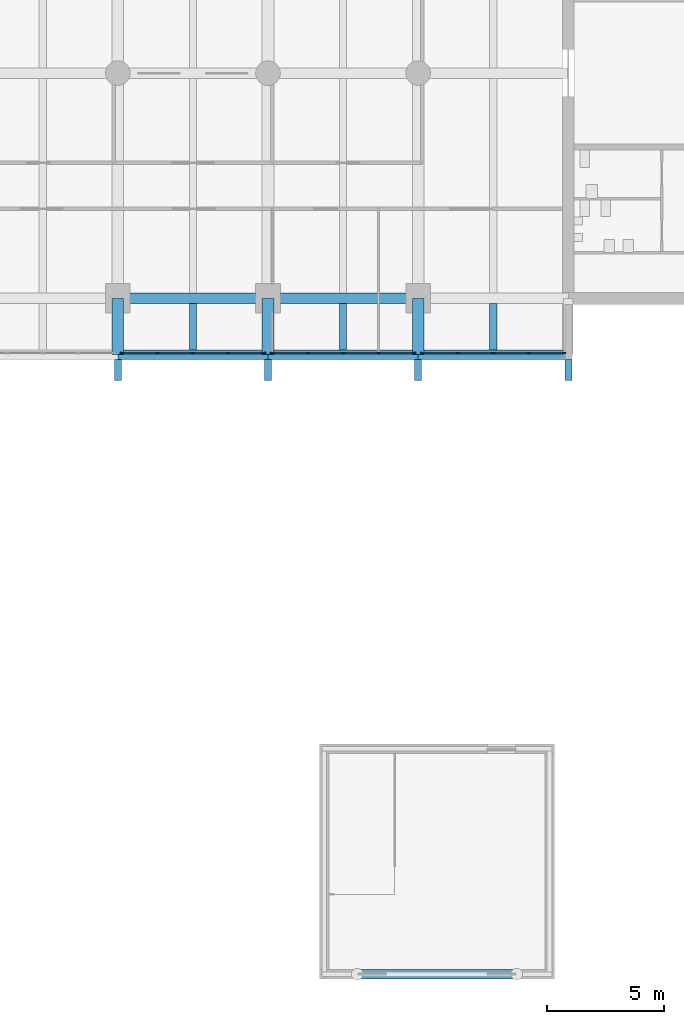
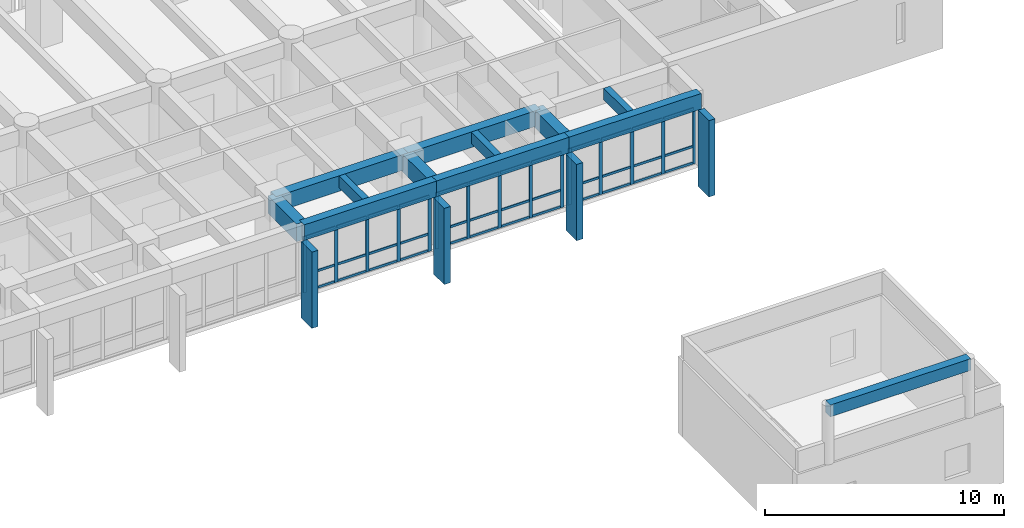
# One storey, part 3 of 19: 55 members, 12 beams, 3 elements without a shape of their own.
"""IFC4 building model written with IfcOpenShell, lengths in metres."""

from ifc_helpers import new_model, si_unit, direction, frame, origin, origin_2d, place, context, subcontext, project, spatial, rectangle, extrude, material, layer, layer_set, material_profile, profile_set, type_object, element, aggregate, save


model = new_model("IFC4")

# Units and contexts
model_context = context("Model", 3, precision=1e-05, world=origin(), true_north=direction((0.0, 1.0)))
body_context = subcontext(model_context, "Body", "Model", "MODEL_VIEW")
ifc_project = project(units=[si_unit("LENGTHUNIT", "METRE"), si_unit("AREAUNIT", "SQUARE_METRE"), si_unit("VOLUMEUNIT", "CUBIC_METRE"), si_unit("PLANEANGLEUNIT", "RADIAN"), si_unit("MASSUNIT", "GRAM", prefix="KILO")], contexts=[model_context])

# Site, building, storey
site_placement = place(None, origin())
site = spatial("IfcSite", under=ifc_project, at=site_placement, CompositionType="ELEMENT")
building_placement = place(site_placement, origin())
building = spatial("IfcBuilding", under=site, at=building_placement, Name="Fogon Plaza Fire Station and Headquarters Tower", CompositionType="ELEMENT")
storey_placement = place(building_placement, frame((0.0, 0.0, 24.89990234375)))
storey = spatial("IfcBuildingStorey", under=building, at=storey_placement, Name="L06", CompositionType="ELEMENT", Elevation=24.89990234375)

# Beams
ifc_material_1 = material(Name="Concrete C40", Category="concrete")
ifc_material_profile_1 = material_profile(ifc_material_1, rectangle(XDim=0.39990234375, YDim=0.60009765625, at=origin_2d()), Name="RC 400x600")
ifc_profile_set_1 = profile_set([ifc_material_profile_1], Name="Concrete C40")
beam_type_1 = type_object("IfcBeamType", Name="BEAM RC 400x600", PredefinedType="BEAM", material=ifc_profile_set_1)
beam_1_placement = place(storey_placement, frame((55.0, 4.800048828125, 6.60009765625), z_axis=(1.0, 0.0, 0.0), x_axis=(0.0, 1.0, 0.0)))
element("IfcBeam", 1, at=beam_1_placement, inside=storey, type_object=beam_type_1, Name="beam-L06-AN1", PredefinedType="BEAM", context=body_context, shape_type="SweptSolid", body=[
    extrude(rectangle(XDim=0.39990234375, YDim=0.60009765625, at=origin_2d()), origin(), (0.0, 0.0, 1.0), 6.800048828125),
])
ifc_material_2 = material(Name="Concrete C40", Category="concrete")
ifc_material_profile_2 = material_profile(ifc_material_2, rectangle(XDim=0.39990234375, YDim=0.800048828125, at=origin_2d()), Name="RC 400x800")
ifc_profile_set_2 = profile_set([ifc_material_profile_2], Name="Concrete C40")
beam_type_2 = type_object("IfcBeamType", Name="BEAM RC 400x800", PredefinedType="BEAM", material=ifc_profile_set_2)
beam_2_placement = place(storey_placement, frame((44.800048828125, 31.199951171875, 3.280029296875), z_axis=(1.0, 0.0, 0.0), x_axis=(0.0, 1.0, 0.0)))
element("IfcBeam", 2, at=beam_2_placement, inside=storey, type_object=beam_type_2, Name="beam-L06-042", PredefinedType="BEAM", context=body_context, shape_type="SweptSolid", body=[
    extrude(rectangle(XDim=0.39990234375, YDim=0.800048828125, at=origin_2d()), origin(), (0.0, 0.0, 1.0), 6.39990234375),
])
beam_3_placement = place(storey_placement, frame((51.199951171875, 31.199951171875, 3.280029296875), z_axis=(1.0, 0.0, 0.0), x_axis=(0.0, 1.0, 0.0)))
element("IfcBeam", 3, at=beam_3_placement, inside=storey, type_object=beam_type_2, Name="beam-L06-043", PredefinedType="BEAM", context=body_context, shape_type="SweptSolid", body=[
    extrude(rectangle(XDim=0.39990234375, YDim=0.800048828125, at=origin_2d()), origin(), (0.0, 0.0, 1.0), 6.400146484375),
])
beam_4_placement = place(storey_placement, frame((57.60009765625, 31.199951171875, 3.280029296875), z_axis=(1.0, 0.0, 0.0), x_axis=(0.0, 1.0, 0.0)))
element("IfcBeam", 4, at=beam_4_placement, inside=storey, type_object=beam_type_2, Name="beam-L06-044", PredefinedType="BEAM", context=body_context, shape_type="SweptSolid", body=[
    extrude(rectangle(XDim=0.39990234375, YDim=0.800048828125, at=origin_2d()), origin(), (0.0, 0.0, 1.0), 6.39990234375),
])
ifc_material_3 = material(Name="Concrete C40", Category="concrete")
ifc_material_profile_3 = material_profile(ifc_material_3, rectangle(XDim=0.449951171875, YDim=0.800048828125, at=origin_2d()), Name="RC 450x800")
ifc_profile_set_3 = profile_set([ifc_material_profile_3], Name="Concrete C40")
beam_type_3 = type_object("IfcBeamType", Name="BEAM RC 450x800", PredefinedType="BEAM", material=ifc_profile_set_3)
beam_5_placement = place(storey_placement, frame((44.800048828125, 33.60009765625, 3.280029296875), z_axis=(1.0, 0.0, 0.0), x_axis=(0.0, 1.0, 0.0)))
element("IfcBeam", 5, at=beam_5_placement, inside=storey, type_object=beam_type_3, Name="beam-L06-024", PredefinedType="BEAM", context=body_context, shape_type="SweptSolid", body=[
    extrude(rectangle(XDim=0.449951171875, YDim=0.800048828125, at=origin_2d()), origin(), (0.0, 0.0, 1.0), 6.39990234375),
])
beam_6_placement = place(storey_placement, frame((51.199951171875, 33.60009765625, 3.280029296875), z_axis=(1.0, 0.0, 0.0), x_axis=(0.0, 1.0, 0.0)))
element("IfcBeam", 6, at=beam_6_placement, inside=storey, type_object=beam_type_3, Name="beam-L06-025", PredefinedType="BEAM", context=body_context, shape_type="SweptSolid", body=[
    extrude(rectangle(XDim=0.449951171875, YDim=0.800048828125, at=origin_2d()), origin(), (0.0, 0.0, 1.0), 6.400146484375),
])
ifc_material_4 = material(Name="Concrete C40", Category="concrete")
ifc_material_profile_4 = material_profile(ifc_material_4, rectangle(XDim=0.5, YDim=0.89990234375, at=origin_2d()), Name="RC 500x900")
ifc_profile_set_4 = profile_set([ifc_material_profile_4], Name="Concrete C40")
beam_type_4 = type_object("IfcBeamType", Name="BEAM RC 500x900 SPAN 0.0 TO 3.0 M", PredefinedType="BEAM", material=ifc_profile_set_4)
for number, where, z_axis, x_axis, name in (
    (7, (44.800048828125, 31.199951171875, 3.22998046875), (0.0, 1.0, 0.0), (-1.0, 0.0, 0.0), "beam-L06-009"),
    (8, (51.199951171875, 31.199951171875, 3.22998046875), (0.0, 1.0, 0.0), (-1.0, 0.0, 0.0), "beam-L06-013"),
    (9, (57.60009765625, 31.199951171875, 3.22998046875), (0.0, 1.0, 0.0), (-1.0, 0.0, 0.0), "beam-L06-017"),
):
    element("IfcBeam", number, at=place(storey_placement, frame(where, z_axis=z_axis, x_axis=x_axis)), inside=storey, type_object=beam_type_4, Name=name, PredefinedType="BEAM", context=body_context, shape_type="SweptSolid", body=[
        extrude(rectangle(XDim=0.5, YDim=0.89990234375, at=origin_2d()), origin(), (0.0, 0.0, 1.0), 2.400146484375),
    ])

# Curtain wall, members
ifc_material_5 = material(Name="Aluminium and glass", Category="aluminium")
ifc_layer = layer(ifc_material_5, 0.14990234375)
ifc_layer_set = layer_set([ifc_layer], Name="Aluminium and glass")
curtain_wall_type = type_object("IfcCurtainWallType", Name="Unitised Curtain Wall Run 6100x2880", PredefinedType="NOTDEFINED", material=ifc_layer_set)
curtain_wall_1_placement = place(storey_placement, origin())
curtain_wall_1 = element("IfcCurtainWall", 10, at=curtain_wall_1_placement, inside=storey, type_object=curtain_wall_type, Name="CW-6100x2880 S4 L06", PredefinedType="NOTDEFINED")
ifc_material_6 = material(Name="Aluminium", Category="aluminium")
ifc_material_profile_5 = material_profile(ifc_material_6, rectangle(XDim=0.06005859375, YDim=0.159912109375, at=origin_2d()), Name="Curtain Wall Mullion 60x160")
ifc_profile_set_5 = profile_set([ifc_material_profile_5], Name="Aluminium")
member_type_1 = type_object("IfcMemberType", Name="Curtain Wall Mullion 60x160", PredefinedType="MULLION", material=ifc_profile_set_5)
member_1_placement = place(storey_placement, frame((44.97998046875, 31.280029296875, 0.0), z_axis=(0.0, 0.0, 1.0), x_axis=(0.0, 1.0, 0.0)))
member_1 = element("IfcMember", 11, at=member_1_placement, type_object=member_type_1, Name="CW-6100x2880 mullion 1", PredefinedType="MULLION", context=body_context, shape_type="SweptSolid", body=[
    extrude(rectangle(XDim=0.06005859375, YDim=0.159912109375, at=origin_2d()), origin(), (0.0, 0.0, 1.0), 2.880126953125),
])
member_2_placement = place(storey_placement, frame((46.489990234375, 31.280029296875, 0.0), z_axis=(0.0, 0.0, 1.0), x_axis=(0.0, 1.0, 0.0)))
member_2 = element("IfcMember", 12, at=member_2_placement, type_object=member_type_1, Name="CW-6100x2880 mullion 2", PredefinedType="MULLION", context=body_context, shape_type="SweptSolid", body=[
    extrude(rectangle(XDim=0.06005859375, YDim=0.159912109375, at=origin_2d()), origin(), (0.0, 0.0, 1.0), 2.880126953125),
])
member_3_placement = place(storey_placement, frame((48.0, 31.280029296875, 0.0), z_axis=(0.0, 0.0, 1.0), x_axis=(0.0, 1.0, 0.0)))
member_3 = element("IfcMember", 13, at=member_3_placement, type_object=member_type_1, Name="CW-6100x2880 mullion 3", PredefinedType="MULLION", context=body_context, shape_type="SweptSolid", body=[
    extrude(rectangle(XDim=0.06005859375, YDim=0.159912109375, at=origin_2d()), origin(), (0.0, 0.0, 1.0), 2.880126953125),
])
member_4_placement = place(storey_placement, frame((49.510009765625, 31.280029296875, 0.0), z_axis=(0.0, 0.0, 1.0), x_axis=(0.0, 1.0, 0.0)))
member_4 = element("IfcMember", 14, at=member_4_placement, type_object=member_type_1, Name="CW-6100x2880 mullion 4", PredefinedType="MULLION", context=body_context, shape_type="SweptSolid", body=[
    extrude(rectangle(XDim=0.06005859375, YDim=0.159912109375, at=origin_2d()), origin(), (0.0, 0.0, 1.0), 2.880126953125),
])
member_5_placement = place(storey_placement, frame((51.02001953125, 31.280029296875, 0.0), z_axis=(0.0, 0.0, 1.0), x_axis=(0.0, 1.0, 0.0)))
member_5 = element("IfcMember", 15, at=member_5_placement, type_object=member_type_1, Name="CW-6100x2880 mullion 5", PredefinedType="MULLION", context=body_context, shape_type="SweptSolid", body=[
    extrude(rectangle(XDim=0.06005859375, YDim=0.159912109375, at=origin_2d()), origin(), (0.0, 0.0, 1.0), 2.880126953125),
])

curtain_wall_2_placement = place(storey_placement, origin())
curtain_wall_2 = element("IfcCurtainWall", 16, at=curtain_wall_2_placement, inside=storey, type_object=curtain_wall_type, Name="CW-6100x2880 S5 L06", PredefinedType="NOTDEFINED")
member_6_placement = place(storey_placement, frame((51.3798828125, 31.280029296875, 0.0), z_axis=(0.0, 0.0, 1.0), x_axis=(0.0, 1.0, 0.0)))
member_6 = element("IfcMember", 17, at=member_6_placement, type_object=member_type_1, Name="CW-6100x2880 mullion 1", PredefinedType="MULLION", context=body_context, shape_type="SweptSolid", body=[
    extrude(rectangle(XDim=0.06005859375, YDim=0.159912109375, at=origin_2d()), origin(), (0.0, 0.0, 1.0), 2.880126953125),
])
member_7_placement = place(storey_placement, frame((52.889892578125, 31.280029296875, 0.0), z_axis=(0.0, 0.0, 1.0), x_axis=(0.0, 1.0, 0.0)))
member_7 = element("IfcMember", 18, at=member_7_placement, type_object=member_type_1, Name="CW-6100x2880 mullion 2", PredefinedType="MULLION", context=body_context, shape_type="SweptSolid", body=[
    extrude(rectangle(XDim=0.06005859375, YDim=0.159912109375, at=origin_2d()), origin(), (0.0, 0.0, 1.0), 2.880126953125),
])
member_8_placement = place(storey_placement, frame((54.39990234375, 31.280029296875, 0.0), z_axis=(0.0, 0.0, 1.0), x_axis=(0.0, 1.0, 0.0)))
member_8 = element("IfcMember", 19, at=member_8_placement, type_object=member_type_1, Name="CW-6100x2880 mullion 3", PredefinedType="MULLION", context=body_context, shape_type="SweptSolid", body=[
    extrude(rectangle(XDim=0.06005859375, YDim=0.159912109375, at=origin_2d()), origin(), (0.0, 0.0, 1.0), 2.880126953125),
])
member_9_placement = place(storey_placement, frame((55.909912109375, 31.280029296875, 0.0), z_axis=(0.0, 0.0, 1.0), x_axis=(0.0, 1.0, 0.0)))
member_9 = element("IfcMember", 20, at=member_9_placement, type_object=member_type_1, Name="CW-6100x2880 mullion 4", PredefinedType="MULLION", context=body_context, shape_type="SweptSolid", body=[
    extrude(rectangle(XDim=0.06005859375, YDim=0.159912109375, at=origin_2d()), origin(), (0.0, 0.0, 1.0), 2.880126953125),
])
member_10_placement = place(storey_placement, frame((57.419921875, 31.280029296875, 0.0), z_axis=(0.0, 0.0, 1.0), x_axis=(0.0, 1.0, 0.0)))
member_10 = element("IfcMember", 21, at=member_10_placement, type_object=member_type_1, Name="CW-6100x2880 mullion 5", PredefinedType="MULLION", context=body_context, shape_type="SweptSolid", body=[
    extrude(rectangle(XDim=0.06005859375, YDim=0.159912109375, at=origin_2d()), origin(), (0.0, 0.0, 1.0), 2.880126953125),
])

curtain_wall_3_placement = place(storey_placement, origin())
curtain_wall_3 = element("IfcCurtainWall", 22, at=curtain_wall_3_placement, inside=storey, type_object=curtain_wall_type, Name="CW-6100x2880 S6 L06", PredefinedType="NOTDEFINED")
member_11_placement = place(storey_placement, frame((57.780029296875, 31.280029296875, 0.0), z_axis=(0.0, 0.0, 1.0), x_axis=(0.0, 1.0, 0.0)))
member_11 = element("IfcMember", 23, at=member_11_placement, type_object=member_type_1, Name="CW-6100x2880 mullion 1", PredefinedType="MULLION", context=body_context, shape_type="SweptSolid", body=[
    extrude(rectangle(XDim=0.06005859375, YDim=0.159912109375, at=origin_2d()), origin(), (0.0, 0.0, 1.0), 2.880126953125),
])
member_12_placement = place(storey_placement, frame((59.2900390625, 31.280029296875, 0.0), z_axis=(0.0, 0.0, 1.0), x_axis=(0.0, 1.0, 0.0)))
member_12 = element("IfcMember", 24, at=member_12_placement, type_object=member_type_1, Name="CW-6100x2880 mullion 2", PredefinedType="MULLION", context=body_context, shape_type="SweptSolid", body=[
    extrude(rectangle(XDim=0.06005859375, YDim=0.159912109375, at=origin_2d()), origin(), (0.0, 0.0, 1.0), 2.880126953125),
])
member_13_placement = place(storey_placement, frame((60.800048828125, 31.280029296875, 0.0), z_axis=(0.0, 0.0, 1.0), x_axis=(0.0, 1.0, 0.0)))
member_13 = element("IfcMember", 25, at=member_13_placement, type_object=member_type_1, Name="CW-6100x2880 mullion 3", PredefinedType="MULLION", context=body_context, shape_type="SweptSolid", body=[
    extrude(rectangle(XDim=0.06005859375, YDim=0.159912109375, at=origin_2d()), origin(), (0.0, 0.0, 1.0), 2.880126953125),
])
member_14_placement = place(storey_placement, frame((62.31005859375, 31.280029296875, 0.0), z_axis=(0.0, 0.0, 1.0), x_axis=(0.0, 1.0, 0.0)))
member_14 = element("IfcMember", 26, at=member_14_placement, type_object=member_type_1, Name="CW-6100x2880 mullion 4", PredefinedType="MULLION", context=body_context, shape_type="SweptSolid", body=[
    extrude(rectangle(XDim=0.06005859375, YDim=0.159912109375, at=origin_2d()), origin(), (0.0, 0.0, 1.0), 2.880126953125),
])
member_15_placement = place(storey_placement, frame((63.820068359375, 31.280029296875, 0.0), z_axis=(0.0, 0.0, 1.0), x_axis=(0.0, 1.0, 0.0)))
member_15 = element("IfcMember", 27, at=member_15_placement, type_object=member_type_1, Name="CW-6100x2880 mullion 5", PredefinedType="MULLION", context=body_context, shape_type="SweptSolid", body=[
    extrude(rectangle(XDim=0.06005859375, YDim=0.159912109375, at=origin_2d()), origin(), (0.0, 0.0, 1.0), 2.880126953125),
])

# Member
ifc_material_7 = material(Name="Aluminium", Category="aluminium")
ifc_material_profile_6 = material_profile(ifc_material_7, rectangle(XDim=0.06005859375, YDim=0.1201171875, at=origin_2d()), Name="Curtain Wall Transom 60x120")
ifc_profile_set_6 = profile_set([ifc_material_profile_6], Name="Aluminium")
member_type_2 = type_object("IfcMemberType", Name="Curtain Wall Transom 60x120", PredefinedType="USERDEFINED", material=ifc_profile_set_6)
member_16_placement = place(storey_placement, frame((45.010009765625, 31.280029296875, 0.06005859375), z_axis=(1.0, 0.0, 0.0), x_axis=(0.0, 1.0, 0.0)))
member_16 = element("IfcMember", 28, at=member_16_placement, type_object=member_type_2, Name="CW-6100x2880 transom 1.1", ObjectType="TRANSOM", PredefinedType="USERDEFINED", context=body_context, shape_type="SweptSolid", body=[
    extrude(rectangle(XDim=0.06005859375, YDim=0.1201171875, at=origin_2d()), origin(), (0.0, 0.0, 1.0), 1.449951171875),
])

member_17_placement = place(storey_placement, frame((45.010009765625, 31.280029296875, 0.900146484375), z_axis=(1.0, 0.0, 0.0), x_axis=(0.0, 1.0, 0.0)))
member_17 = element("IfcMember", 29, at=member_17_placement, type_object=member_type_2, Name="CW-6100x2880 transom 1.2", ObjectType="TRANSOM", PredefinedType="USERDEFINED", context=body_context, shape_type="SweptSolid", body=[
    extrude(rectangle(XDim=0.06005859375, YDim=0.1201171875, at=origin_2d()), origin(), (0.0, 0.0, 1.0), 1.449951171875),
])

member_18_placement = place(storey_placement, frame((45.010009765625, 31.280029296875, 2.820068359375), z_axis=(1.0, 0.0, 0.0), x_axis=(0.0, 1.0, 0.0)))
member_18 = element("IfcMember", 30, at=member_18_placement, type_object=member_type_2, Name="CW-6100x2880 transom 1.3", ObjectType="TRANSOM", PredefinedType="USERDEFINED", context=body_context, shape_type="SweptSolid", body=[
    extrude(rectangle(XDim=0.06005859375, YDim=0.1201171875, at=origin_2d()), origin(), (0.0, 0.0, 1.0), 1.449951171875),
])

member_19_placement = place(storey_placement, frame((46.52001953125, 31.280029296875, 0.06005859375), z_axis=(1.0, 0.0, 0.0), x_axis=(0.0, 1.0, 0.0)))
member_19 = element("IfcMember", 31, at=member_19_placement, type_object=member_type_2, Name="CW-6100x2880 transom 2.1", ObjectType="TRANSOM", PredefinedType="USERDEFINED", context=body_context, shape_type="SweptSolid", body=[
    extrude(rectangle(XDim=0.06005859375, YDim=0.1201171875, at=origin_2d()), origin(), (0.0, 0.0, 1.0), 1.449951171875),
])

member_20_placement = place(storey_placement, frame((46.52001953125, 31.280029296875, 0.900146484375), z_axis=(1.0, 0.0, 0.0), x_axis=(0.0, 1.0, 0.0)))
member_20 = element("IfcMember", 32, at=member_20_placement, type_object=member_type_2, Name="CW-6100x2880 transom 2.2", ObjectType="TRANSOM", PredefinedType="USERDEFINED", context=body_context, shape_type="SweptSolid", body=[
    extrude(rectangle(XDim=0.06005859375, YDim=0.1201171875, at=origin_2d()), origin(), (0.0, 0.0, 1.0), 1.449951171875),
])

member_21_placement = place(storey_placement, frame((46.52001953125, 31.280029296875, 2.820068359375), z_axis=(1.0, 0.0, 0.0), x_axis=(0.0, 1.0, 0.0)))
member_21 = element("IfcMember", 33, at=member_21_placement, type_object=member_type_2, Name="CW-6100x2880 transom 2.3", ObjectType="TRANSOM", PredefinedType="USERDEFINED", context=body_context, shape_type="SweptSolid", body=[
    extrude(rectangle(XDim=0.06005859375, YDim=0.1201171875, at=origin_2d()), origin(), (0.0, 0.0, 1.0), 1.449951171875),
])

member_22_placement = place(storey_placement, frame((48.030029296875, 31.280029296875, 0.06005859375), z_axis=(1.0, 0.0, 0.0), x_axis=(0.0, 1.0, 0.0)))
member_22 = element("IfcMember", 34, at=member_22_placement, type_object=member_type_2, Name="CW-6100x2880 transom 3.1", ObjectType="TRANSOM", PredefinedType="USERDEFINED", context=body_context, shape_type="SweptSolid", body=[
    extrude(rectangle(XDim=0.06005859375, YDim=0.1201171875, at=origin_2d()), origin(), (0.0, 0.0, 1.0), 1.449951171875),
])

member_23_placement = place(storey_placement, frame((48.030029296875, 31.280029296875, 0.900146484375), z_axis=(1.0, 0.0, 0.0), x_axis=(0.0, 1.0, 0.0)))
member_23 = element("IfcMember", 35, at=member_23_placement, type_object=member_type_2, Name="CW-6100x2880 transom 3.2", ObjectType="TRANSOM", PredefinedType="USERDEFINED", context=body_context, shape_type="SweptSolid", body=[
    extrude(rectangle(XDim=0.06005859375, YDim=0.1201171875, at=origin_2d()), origin(), (0.0, 0.0, 1.0), 1.449951171875),
])

member_24_placement = place(storey_placement, frame((48.030029296875, 31.280029296875, 2.820068359375), z_axis=(1.0, 0.0, 0.0), x_axis=(0.0, 1.0, 0.0)))
member_24 = element("IfcMember", 36, at=member_24_placement, type_object=member_type_2, Name="CW-6100x2880 transom 3.3", ObjectType="TRANSOM", PredefinedType="USERDEFINED", context=body_context, shape_type="SweptSolid", body=[
    extrude(rectangle(XDim=0.06005859375, YDim=0.1201171875, at=origin_2d()), origin(), (0.0, 0.0, 1.0), 1.449951171875),
])

member_25_placement = place(storey_placement, frame((49.5400390625, 31.280029296875, 0.06005859375), z_axis=(1.0, 0.0, 0.0), x_axis=(0.0, 1.0, 0.0)))
member_25 = element("IfcMember", 37, at=member_25_placement, type_object=member_type_2, Name="CW-6100x2880 transom 4.1", ObjectType="TRANSOM", PredefinedType="USERDEFINED", context=body_context, shape_type="SweptSolid", body=[
    extrude(rectangle(XDim=0.06005859375, YDim=0.1201171875, at=origin_2d()), origin(), (0.0, 0.0, 1.0), 1.449951171875),
])

member_26_placement = place(storey_placement, frame((49.5400390625, 31.280029296875, 0.900146484375), z_axis=(1.0, 0.0, 0.0), x_axis=(0.0, 1.0, 0.0)))
member_26 = element("IfcMember", 38, at=member_26_placement, type_object=member_type_2, Name="CW-6100x2880 transom 4.2", ObjectType="TRANSOM", PredefinedType="USERDEFINED", context=body_context, shape_type="SweptSolid", body=[
    extrude(rectangle(XDim=0.06005859375, YDim=0.1201171875, at=origin_2d()), origin(), (0.0, 0.0, 1.0), 1.449951171875),
])

member_27_placement = place(storey_placement, frame((49.5400390625, 31.280029296875, 2.820068359375), z_axis=(1.0, 0.0, 0.0), x_axis=(0.0, 1.0, 0.0)))
member_27 = element("IfcMember", 39, at=member_27_placement, type_object=member_type_2, Name="CW-6100x2880 transom 4.3", ObjectType="TRANSOM", PredefinedType="USERDEFINED", context=body_context, shape_type="SweptSolid", body=[
    extrude(rectangle(XDim=0.06005859375, YDim=0.1201171875, at=origin_2d()), origin(), (0.0, 0.0, 1.0), 1.449951171875),
])

aggregate(curtain_wall_1, [member_1, member_2, member_3, member_4, member_5, member_16, member_17, member_18, member_19, member_20, member_21, member_22, member_23, member_24, member_25, member_26, member_27])

member_28_placement = place(storey_placement, frame((51.409912109375, 31.280029296875, 0.06005859375), z_axis=(1.0, 0.0, 0.0), x_axis=(0.0, 1.0, 0.0)))
member_28 = element("IfcMember", 40, at=member_28_placement, type_object=member_type_2, Name="CW-6100x2880 transom 1.1", ObjectType="TRANSOM", PredefinedType="USERDEFINED", context=body_context, shape_type="SweptSolid", body=[
    extrude(rectangle(XDim=0.06005859375, YDim=0.1201171875, at=origin_2d()), origin(), (0.0, 0.0, 1.0), 1.4501953125),
])

member_29_placement = place(storey_placement, frame((51.409912109375, 31.280029296875, 0.900146484375), z_axis=(1.0, 0.0, 0.0), x_axis=(0.0, 1.0, 0.0)))
member_29 = element("IfcMember", 41, at=member_29_placement, type_object=member_type_2, Name="CW-6100x2880 transom 1.2", ObjectType="TRANSOM", PredefinedType="USERDEFINED", context=body_context, shape_type="SweptSolid", body=[
    extrude(rectangle(XDim=0.06005859375, YDim=0.1201171875, at=origin_2d()), origin(), (0.0, 0.0, 1.0), 1.4501953125),
])

member_30_placement = place(storey_placement, frame((51.409912109375, 31.280029296875, 2.820068359375), z_axis=(1.0, 0.0, 0.0), x_axis=(0.0, 1.0, 0.0)))
member_30 = element("IfcMember", 42, at=member_30_placement, type_object=member_type_2, Name="CW-6100x2880 transom 1.3", ObjectType="TRANSOM", PredefinedType="USERDEFINED", context=body_context, shape_type="SweptSolid", body=[
    extrude(rectangle(XDim=0.06005859375, YDim=0.1201171875, at=origin_2d()), origin(), (0.0, 0.0, 1.0), 1.4501953125),
])

member_31_placement = place(storey_placement, frame((52.919921875, 31.280029296875, 0.06005859375), z_axis=(1.0, 0.0, 0.0), x_axis=(0.0, 1.0, 0.0)))
member_31 = element("IfcMember", 43, at=member_31_placement, type_object=member_type_2, Name="CW-6100x2880 transom 2.1", ObjectType="TRANSOM", PredefinedType="USERDEFINED", context=body_context, shape_type="SweptSolid", body=[
    extrude(rectangle(XDim=0.06005859375, YDim=0.1201171875, at=origin_2d()), origin(), (0.0, 0.0, 1.0), 1.4501953125),
])

member_32_placement = place(storey_placement, frame((52.919921875, 31.280029296875, 0.900146484375), z_axis=(1.0, 0.0, 0.0), x_axis=(0.0, 1.0, 0.0)))
member_32 = element("IfcMember", 44, at=member_32_placement, type_object=member_type_2, Name="CW-6100x2880 transom 2.2", ObjectType="TRANSOM", PredefinedType="USERDEFINED", context=body_context, shape_type="SweptSolid", body=[
    extrude(rectangle(XDim=0.06005859375, YDim=0.1201171875, at=origin_2d()), origin(), (0.0, 0.0, 1.0), 1.4501953125),
])

member_33_placement = place(storey_placement, frame((52.919921875, 31.280029296875, 2.820068359375), z_axis=(1.0, 0.0, 0.0), x_axis=(0.0, 1.0, 0.0)))
member_33 = element("IfcMember", 45, at=member_33_placement, type_object=member_type_2, Name="CW-6100x2880 transom 2.3", ObjectType="TRANSOM", PredefinedType="USERDEFINED", context=body_context, shape_type="SweptSolid", body=[
    extrude(rectangle(XDim=0.06005859375, YDim=0.1201171875, at=origin_2d()), origin(), (0.0, 0.0, 1.0), 1.4501953125),
])

member_34_placement = place(storey_placement, frame((54.429931640625, 31.280029296875, 0.06005859375), z_axis=(1.0, 0.0, 0.0), x_axis=(0.0, 1.0, 0.0)))
member_34 = element("IfcMember", 46, at=member_34_placement, type_object=member_type_2, Name="CW-6100x2880 transom 3.1", ObjectType="TRANSOM", PredefinedType="USERDEFINED", context=body_context, shape_type="SweptSolid", body=[
    extrude(rectangle(XDim=0.06005859375, YDim=0.1201171875, at=origin_2d()), origin(), (0.0, 0.0, 1.0), 1.449951171875),
])

member_35_placement = place(storey_placement, frame((54.429931640625, 31.280029296875, 0.900146484375), z_axis=(1.0, 0.0, 0.0), x_axis=(0.0, 1.0, 0.0)))
member_35 = element("IfcMember", 47, at=member_35_placement, type_object=member_type_2, Name="CW-6100x2880 transom 3.2", ObjectType="TRANSOM", PredefinedType="USERDEFINED", context=body_context, shape_type="SweptSolid", body=[
    extrude(rectangle(XDim=0.06005859375, YDim=0.1201171875, at=origin_2d()), origin(), (0.0, 0.0, 1.0), 1.449951171875),
])

member_36_placement = place(storey_placement, frame((54.429931640625, 31.280029296875, 2.820068359375), z_axis=(1.0, 0.0, 0.0), x_axis=(0.0, 1.0, 0.0)))
member_36 = element("IfcMember", 48, at=member_36_placement, type_object=member_type_2, Name="CW-6100x2880 transom 3.3", ObjectType="TRANSOM", PredefinedType="USERDEFINED", context=body_context, shape_type="SweptSolid", body=[
    extrude(rectangle(XDim=0.06005859375, YDim=0.1201171875, at=origin_2d()), origin(), (0.0, 0.0, 1.0), 1.449951171875),
])

member_37_placement = place(storey_placement, frame((55.93994140625, 31.280029296875, 0.06005859375), z_axis=(1.0, 0.0, 0.0), x_axis=(0.0, 1.0, 0.0)))
member_37 = element("IfcMember", 49, at=member_37_placement, type_object=member_type_2, Name="CW-6100x2880 transom 4.1", ObjectType="TRANSOM", PredefinedType="USERDEFINED", context=body_context, shape_type="SweptSolid", body=[
    extrude(rectangle(XDim=0.06005859375, YDim=0.1201171875, at=origin_2d()), origin(), (0.0, 0.0, 1.0), 1.449951171875),
])

member_38_placement = place(storey_placement, frame((55.93994140625, 31.280029296875, 0.900146484375), z_axis=(1.0, 0.0, 0.0), x_axis=(0.0, 1.0, 0.0)))
member_38 = element("IfcMember", 50, at=member_38_placement, type_object=member_type_2, Name="CW-6100x2880 transom 4.2", ObjectType="TRANSOM", PredefinedType="USERDEFINED", context=body_context, shape_type="SweptSolid", body=[
    extrude(rectangle(XDim=0.06005859375, YDim=0.1201171875, at=origin_2d()), origin(), (0.0, 0.0, 1.0), 1.449951171875),
])

member_39_placement = place(storey_placement, frame((55.93994140625, 31.280029296875, 2.820068359375), z_axis=(1.0, 0.0, 0.0), x_axis=(0.0, 1.0, 0.0)))
member_39 = element("IfcMember", 51, at=member_39_placement, type_object=member_type_2, Name="CW-6100x2880 transom 4.3", ObjectType="TRANSOM", PredefinedType="USERDEFINED", context=body_context, shape_type="SweptSolid", body=[
    extrude(rectangle(XDim=0.06005859375, YDim=0.1201171875, at=origin_2d()), origin(), (0.0, 0.0, 1.0), 1.449951171875),
])

aggregate(curtain_wall_2, [member_6, member_7, member_8, member_9, member_10, member_28, member_29, member_30, member_31, member_32, member_33, member_34, member_35, member_36, member_37, member_38, member_39])

member_40_placement = place(storey_placement, frame((57.81005859375, 31.280029296875, 0.06005859375), z_axis=(1.0, 0.0, 0.0), x_axis=(0.0, 1.0, 0.0)))
member_40 = element("IfcMember", 52, at=member_40_placement, type_object=member_type_2, Name="CW-6100x2880 transom 1.1", ObjectType="TRANSOM", PredefinedType="USERDEFINED", context=body_context, shape_type="SweptSolid", body=[
    extrude(rectangle(XDim=0.06005859375, YDim=0.1201171875, at=origin_2d()), origin(), (0.0, 0.0, 1.0), 1.449951171875),
])

member_41_placement = place(storey_placement, frame((57.81005859375, 31.280029296875, 0.900146484375), z_axis=(1.0, 0.0, 0.0), x_axis=(0.0, 1.0, 0.0)))
member_41 = element("IfcMember", 53, at=member_41_placement, type_object=member_type_2, Name="CW-6100x2880 transom 1.2", ObjectType="TRANSOM", PredefinedType="USERDEFINED", context=body_context, shape_type="SweptSolid", body=[
    extrude(rectangle(XDim=0.06005859375, YDim=0.1201171875, at=origin_2d()), origin(), (0.0, 0.0, 1.0), 1.449951171875),
])

member_42_placement = place(storey_placement, frame((57.81005859375, 31.280029296875, 2.820068359375), z_axis=(1.0, 0.0, 0.0), x_axis=(0.0, 1.0, 0.0)))
member_42 = element("IfcMember", 54, at=member_42_placement, type_object=member_type_2, Name="CW-6100x2880 transom 1.3", ObjectType="TRANSOM", PredefinedType="USERDEFINED", context=body_context, shape_type="SweptSolid", body=[
    extrude(rectangle(XDim=0.06005859375, YDim=0.1201171875, at=origin_2d()), origin(), (0.0, 0.0, 1.0), 1.449951171875),
])

member_43_placement = place(storey_placement, frame((59.320068359375, 31.280029296875, 0.06005859375), z_axis=(1.0, 0.0, 0.0), x_axis=(0.0, 1.0, 0.0)))
member_43 = element("IfcMember", 55, at=member_43_placement, type_object=member_type_2, Name="CW-6100x2880 transom 2.1", ObjectType="TRANSOM", PredefinedType="USERDEFINED", context=body_context, shape_type="SweptSolid", body=[
    extrude(rectangle(XDim=0.06005859375, YDim=0.1201171875, at=origin_2d()), origin(), (0.0, 0.0, 1.0), 1.449951171875),
])

member_44_placement = place(storey_placement, frame((59.320068359375, 31.280029296875, 0.900146484375), z_axis=(1.0, 0.0, 0.0), x_axis=(0.0, 1.0, 0.0)))
member_44 = element("IfcMember", 56, at=member_44_placement, type_object=member_type_2, Name="CW-6100x2880 transom 2.2", ObjectType="TRANSOM", PredefinedType="USERDEFINED", context=body_context, shape_type="SweptSolid", body=[
    extrude(rectangle(XDim=0.06005859375, YDim=0.1201171875, at=origin_2d()), origin(), (0.0, 0.0, 1.0), 1.449951171875),
])

member_45_placement = place(storey_placement, frame((59.320068359375, 31.280029296875, 2.820068359375), z_axis=(1.0, 0.0, 0.0), x_axis=(0.0, 1.0, 0.0)))
member_45 = element("IfcMember", 57, at=member_45_placement, type_object=member_type_2, Name="CW-6100x2880 transom 2.3", ObjectType="TRANSOM", PredefinedType="USERDEFINED", context=body_context, shape_type="SweptSolid", body=[
    extrude(rectangle(XDim=0.06005859375, YDim=0.1201171875, at=origin_2d()), origin(), (0.0, 0.0, 1.0), 1.449951171875),
])

member_46_placement = place(storey_placement, frame((60.830078125, 31.280029296875, 0.06005859375), z_axis=(1.0, 0.0, 0.0), x_axis=(0.0, 1.0, 0.0)))
member_46 = element("IfcMember", 58, at=member_46_placement, type_object=member_type_2, Name="CW-6100x2880 transom 3.1", ObjectType="TRANSOM", PredefinedType="USERDEFINED", context=body_context, shape_type="SweptSolid", body=[
    extrude(rectangle(XDim=0.06005859375, YDim=0.1201171875, at=origin_2d()), origin(), (0.0, 0.0, 1.0), 1.449951171875),
])

member_47_placement = place(storey_placement, frame((60.830078125, 31.280029296875, 0.900146484375), z_axis=(1.0, 0.0, 0.0), x_axis=(0.0, 1.0, 0.0)))
member_47 = element("IfcMember", 59, at=member_47_placement, type_object=member_type_2, Name="CW-6100x2880 transom 3.2", ObjectType="TRANSOM", PredefinedType="USERDEFINED", context=body_context, shape_type="SweptSolid", body=[
    extrude(rectangle(XDim=0.06005859375, YDim=0.1201171875, at=origin_2d()), origin(), (0.0, 0.0, 1.0), 1.449951171875),
])

member_48_placement = place(storey_placement, frame((60.830078125, 31.280029296875, 2.820068359375), z_axis=(1.0, 0.0, 0.0), x_axis=(0.0, 1.0, 0.0)))
member_48 = element("IfcMember", 60, at=member_48_placement, type_object=member_type_2, Name="CW-6100x2880 transom 3.3", ObjectType="TRANSOM", PredefinedType="USERDEFINED", context=body_context, shape_type="SweptSolid", body=[
    extrude(rectangle(XDim=0.06005859375, YDim=0.1201171875, at=origin_2d()), origin(), (0.0, 0.0, 1.0), 1.449951171875),
])

member_49_placement = place(storey_placement, frame((62.340087890625, 31.280029296875, 0.06005859375), z_axis=(1.0, 0.0, 0.0), x_axis=(0.0, 1.0, 0.0)))
member_49 = element("IfcMember", 61, at=member_49_placement, type_object=member_type_2, Name="CW-6100x2880 transom 4.1", ObjectType="TRANSOM", PredefinedType="USERDEFINED", context=body_context, shape_type="SweptSolid", body=[
    extrude(rectangle(XDim=0.06005859375, YDim=0.1201171875, at=origin_2d()), origin(), (0.0, 0.0, 1.0), 1.449951171875),
])

member_50_placement = place(storey_placement, frame((62.340087890625, 31.280029296875, 0.900146484375), z_axis=(1.0, 0.0, 0.0), x_axis=(0.0, 1.0, 0.0)))
member_50 = element("IfcMember", 62, at=member_50_placement, type_object=member_type_2, Name="CW-6100x2880 transom 4.2", ObjectType="TRANSOM", PredefinedType="USERDEFINED", context=body_context, shape_type="SweptSolid", body=[
    extrude(rectangle(XDim=0.06005859375, YDim=0.1201171875, at=origin_2d()), origin(), (0.0, 0.0, 1.0), 1.449951171875),
])

member_51_placement = place(storey_placement, frame((62.340087890625, 31.280029296875, 2.820068359375), z_axis=(1.0, 0.0, 0.0), x_axis=(0.0, 1.0, 0.0)))
member_51 = element("IfcMember", 63, at=member_51_placement, type_object=member_type_2, Name="CW-6100x2880 transom 4.3", ObjectType="TRANSOM", PredefinedType="USERDEFINED", context=body_context, shape_type="SweptSolid", body=[
    extrude(rectangle(XDim=0.06005859375, YDim=0.1201171875, at=origin_2d()), origin(), (0.0, 0.0, 1.0), 1.449951171875),
])

aggregate(curtain_wall_3, [member_11, member_12, member_13, member_14, member_15, member_40, member_41, member_42, member_43, member_44, member_45, member_46, member_47, member_48, member_49, member_50, member_51])

# Beams
ifc_material_8 = material(Name="Concrete C40", Category="concrete")
ifc_material_profile_7 = material_profile(ifc_material_8, rectangle(XDim=0.300048828125, YDim=0.60009765625, at=origin_2d()), Name="RC 300x600")
ifc_profile_set_7 = profile_set([ifc_material_profile_7], Name="Concrete C40")
beam_type_5 = type_object("IfcBeamType", Name="JOIST RC 300x600 SPAN 0.0 TO 3.0 M", PredefinedType="JOIST", material=ifc_profile_set_7)
for number, where, z_axis, x_axis, name in (
    (64, (48.0, 31.39990234375, 3.380126953125), (0.0, 1.0, 0.0), (-1.0, 0.0, 0.0), "beam-L06-067"),
    (65, (54.39990234375, 31.39990234375, 3.380126953125), (0.0, 1.0, 0.0), (-1.0, 0.0, 0.0), "beam-L06-071"),
    (66, (60.800048828125, 31.39990234375, 3.380126953125), (0.0, 1.0, 0.0), (-1.0, 0.0, 0.0), "beam-L06-075"),
):
    element("IfcBeam", number, at=place(storey_placement, frame(where, z_axis=z_axis, x_axis=x_axis)), inside=storey, type_object=beam_type_5, Name=name, PredefinedType="JOIST", context=body_context, shape_type="SweptSolid", body=[
        extrude(rectangle(XDim=0.300048828125, YDim=0.60009765625, at=origin_2d()), origin(), (0.0, 0.0, 1.0), 1.97509765625),
    ])

# Members
ifc_material_9 = material(Name="Concrete C40 precast", Category="concrete")
ifc_material_profile_8 = material_profile(ifc_material_9, rectangle(XDim=0.300048828125, YDim=0.89990234375, at=origin_2d()), Name="Precast Concrete Post 300x900")
ifc_profile_set_8 = profile_set([ifc_material_profile_8], Name="Concrete C40 precast")
member_type_3 = type_object("IfcMemberType", Name="Precast Concrete Post 300x900", PredefinedType="POST", material=ifc_profile_set_8)
for number, where, z_axis, x_axis, name in (
    (67, (44.800048828125, 30.550048828125, -1.02001953125), (0.0, 0.0, 1.0), (1.0, 0.0, 0.0), "Precast Post S L06"),
    (68, (51.199951171875, 30.550048828125, -1.02001953125), (0.0, 0.0, 1.0), (1.0, 0.0, 0.0), "Precast Post S L06"),
    (69, (57.60009765625, 30.550048828125, -1.02001953125), (0.0, 0.0, 1.0), (1.0, 0.0, 0.0), "Precast Post S L06"),
    (70, (64.0, 30.550048828125, -1.02001953125), (0.0, 0.0, 1.0), (1.0, 0.0, 0.0), "Precast Post S L06"),
):
    element("IfcMember", number, at=place(storey_placement, frame(where, z_axis=z_axis, x_axis=x_axis)), inside=storey, type_object=member_type_3, Name=name, PredefinedType="POST", context=body_context, shape_type="SweptSolid", body=[
        extrude(rectangle(XDim=0.300048828125, YDim=0.89990234375, at=origin_2d()), origin(), (0.0, 0.0, 1.0), 3.900146484375),
    ])

save(model, "model.ifc")
